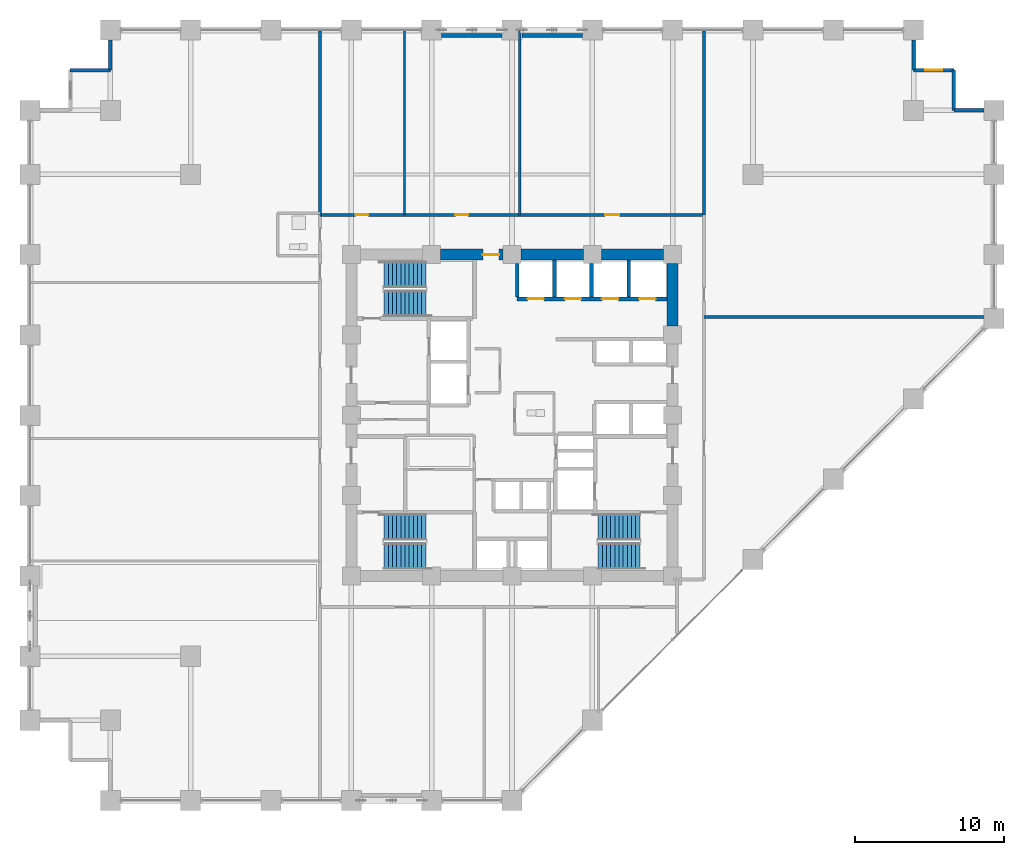
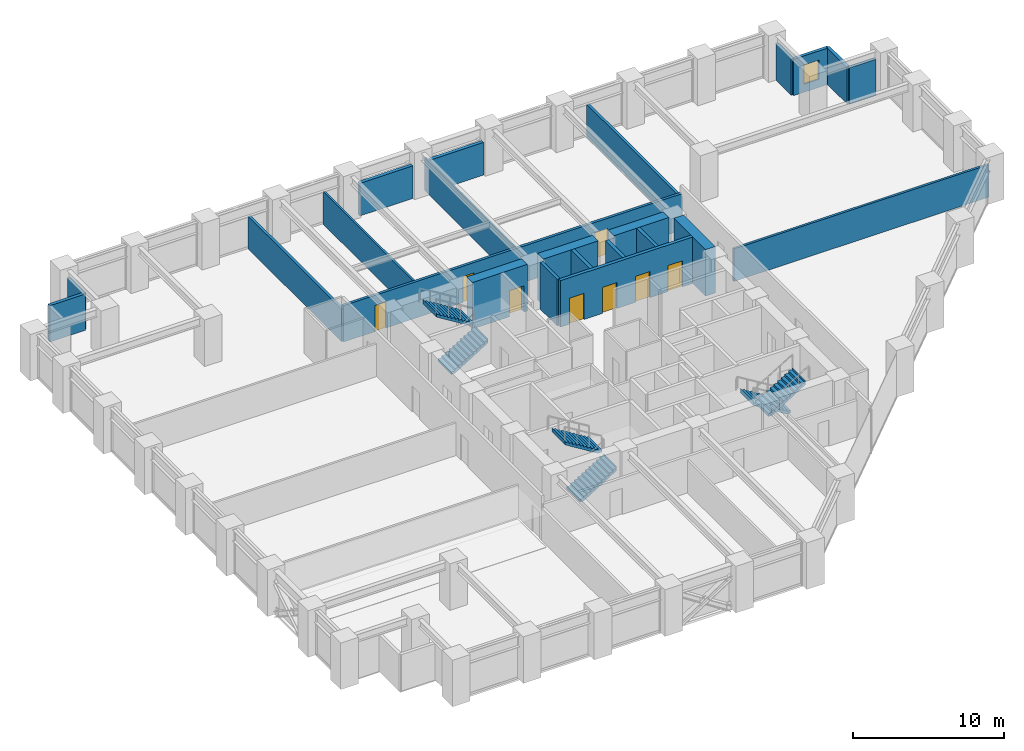
# One storey, part 22 of 25: 23 walls, 8 doors, 6 stair flights, 1 window, 9 openings, 3 elements without a shape of their own.
"""IFC4 building model written with IfcOpenShell, lengths in metres."""

from ifc_helpers import new_model, si_unit, direction, frame, frame_2d, origin, place, context, subcontext, project, spatial, polyline, rectangle, outline, extrude, material, layer, layer_set, type_object, element, fill, aggregate, save


model = new_model("IFC4")

# Units and contexts
model_context = context("Model", 3, precision=1e-05, world=origin(), true_north=direction((0.0, 1.0)))
body_context = subcontext(model_context, "Body", "Model", "MODEL_VIEW")
ifc_project = project(units=[si_unit("LENGTHUNIT", "METRE"), si_unit("AREAUNIT", "SQUARE_METRE"), si_unit("VOLUMEUNIT", "CUBIC_METRE"), si_unit("PLANEANGLEUNIT", "RADIAN"), si_unit("MASSUNIT", "GRAM", prefix="KILO")], contexts=[model_context])

# Site, building, storey
site_placement = place(None, origin())
site = spatial("IfcSite", under=ifc_project, at=site_placement, CompositionType="ELEMENT")
building_placement = place(site_placement, origin())
building = spatial("IfcBuilding", under=site, at=building_placement, Name="Surkhivell Harbour Commons", CompositionType="ELEMENT")
storey_placement = place(building_placement, frame((0.0, 0.0, 48.75)))
storey = spatial("IfcBuildingStorey", under=building, at=storey_placement, Name="L12", CompositionType="ELEMENT", Elevation=48.75)

# Wall, opening, door
ifc_material_1 = material(Name="Concrete C60/75", Category="concrete")
ifc_layer_1 = layer(ifc_material_1, 0.75)
ifc_layer_set_1 = layer_set([ifc_layer_1], Name="Concrete C60/75")
wall_type_1 = type_object("IfcWallType", Name="WAL-CORE-750", PredefinedType="SHEAR", material=ifc_layer_set_1)
wall_1_placement = place(storey_placement, frame((-4.7900390625, 10.800048828125, 0.0), z_axis=(0.0, 0.0, 1.0), x_axis=(1.0, 0.0, 0.0)))
wall_1 = element("IfcWall", 1, at=wall_1_placement, inside=storey, type_object=wall_type_1, Name="L12 Core Shear Wall North 2", PredefinedType="SHEAR", context=body_context, shape_type="SweptSolid", body=[
    extrude(rectangle(XDim=4.179931640625, YDim=0.75, at=frame_2d((2.08984375, 0.0))), origin(), (0.0, 0.0, 1.0), 3.75),
])
opening_1_placement = place(wall_1_placement, frame((2.830078125, 0.0, 0.0)))
opening_1 = element("IfcOpeningElement", 2, at=opening_1_placement, cuts=wall_1, Name="Opening ID-2", PredefinedType="OPENING", context=body_context, shape_type="SweptSolid", body=[
    extrude(rectangle(XDim=1.10009765625, YDim=2.10009765625, at=frame_2d((0.550048828125, 1.050048828125))), frame((0.0, 0.385009765625, 0.0), z_axis=(0.0, -1.0, 0.0), x_axis=(1.0, 0.0, 0.0)), (0.0, 0.0, 1.0), 0.77001953125),
])
ifc_material_2 = material(Name="Hardwood-veneered fire-rated door leaf", Category="wood")
door_type_1 = type_object("IfcDoorType", Name="DOR-FD60-1100", OperationType="NOTDEFINED", PredefinedType="DOOR", material=ifc_material_2)
door_1_placement = place(opening_1_placement, origin())
door_1 = element("IfcDoor", 3, at=door_1_placement, inside=storey, type_object=door_type_1, Name="L12 Central Core Lift Hall North Corridor Door", OperationType="SINGLE_SWING_LEFT", OverallHeight=2.10009765625, OverallWidth=1.10009765625, PredefinedType="DOOR", context=body_context, shape_type="SweptSolid", body=[
    extrude(rectangle(XDim=1.10009765625, YDim=2.10009765625, at=frame_2d((0.550048828125, 1.050048828125))), frame((0.0, 0.02490234375, 0.0), z_axis=(0.0, -1.0, 0.0), x_axis=(1.0, 0.0, 0.0)), (0.0, 0.0, 1.0), 0.050048828125),
])
fill(opening_1, door_1)

# Walls
for number, where, z_axis, x_axis, name in (
    (4, (0.610107421875, 10.800048828125, 0.0), (0.0, 0.0, 1.0), (1.0, 0.0, 0.0), "L12 Core Shear Wall North 3"),
    (5, (6.010009765625, 10.800048828125, 0.0), (0.0, 0.0, 1.0), (1.0, 0.0, 0.0), "L12 Core Shear Wall North 4"),
    (6, (10.800048828125, 6.010009765625, 0.0), (0.0, 0.0, 1.0), (0.0, 1.0, 0.0), "L12 Core Shear Wall East 4"),
):
    element("IfcWall", number, at=place(storey_placement, frame(where, z_axis=z_axis, x_axis=x_axis)), inside=storey, type_object=wall_type_1, Name=name, PredefinedType="SHEAR", context=body_context, shape_type="SweptSolid", body=[
        extrude(rectangle(XDim=4.179931640625, YDim=0.75, at=frame_2d((2.08984375, 0.0))), origin(), (0.0, 0.0, 1.0), 3.75),
    ])
ifc_material_3 = material(Name="Pale-metal insulated precast concrete C45/55", Category="concrete")
ifc_layer_2 = layer(ifc_material_3, 0.260009765625)
ifc_layer_set_2 = layer_set([ifc_layer_2], Name="Pale-metal insulated precast concrete C45/55")
wall_type_2 = type_object("IfcWallType", Name="WAL-EXT-MTL260", PredefinedType="STANDARD", material=ifc_layer_set_2)
for number, where, z_axis, x_axis, name in (
    (7, (-0.673095703125, 25.5400390625, 0.0), (0.0, 0.0, 1.0), (-1.0, 0.0, 0.0), "L12 Braced-Bay Insulated Spandrel Backing N"),
    (8, (4.72705078125, 25.5400390625, 0.0), (0.0, 0.0, 1.0), (-1.0, 0.0, 0.0), "L12 Braced-Bay Insulated Spandrel Backing N2"),
):
    element("IfcWall", number, at=place(storey_placement, frame(where, z_axis=z_axis, x_axis=x_axis)), inside=storey, type_object=wall_type_2, Name=name, PredefinedType="STANDARD", context=body_context, shape_type="SweptSolid", body=[
        extrude(rectangle(XDim=4.053955078125, YDim=0.260009765625, at=frame_2d((2.02685546875, 0.0))), origin(), (0.0, 0.0, 1.0), 2.62890625),
    ])
ifc_material_4 = material(Name="Bronze-ochre cassette precast concrete C45/55", Category="concrete")
ifc_layer_3 = layer(ifc_material_4, 0.239990234375)
ifc_layer_set_3 = layer_set([ifc_layer_3], Name="Bronze-ochre cassette precast concrete C45/55")
wall_type_3 = type_object("IfcWallType", Name="WAL-EXT-OCH240", PredefinedType="STANDARD", material=ifc_layer_set_3)
wall_2_placement = place(storey_placement, frame((31.72705078125, 20.5, 0.0), z_axis=(0.0, 0.0, 1.0), x_axis=(-1.0, 0.0, 0.0)))
element("IfcWall", 9, at=wall_2_placement, inside=storey, type_object=wall_type_3, Name="L12 Serrated Corner Facade Wall 03", PredefinedType="STANDARD", context=body_context, shape_type="SweptSolid", body=[
    extrude(rectangle(XDim=2.027099609375, YDim=0.239990234375, at=frame_2d((1.013671875, 0.0))), origin(), (0.0, 0.0, 1.0), 2.929931640625),
])
wall_3_placement = place(storey_placement, frame((29.699951171875, 20.5, 0.0), z_axis=(0.0, 0.0, 1.0), x_axis=(0.0, 1.0, 0.0)))
element("IfcWall", 10, at=wall_3_placement, inside=storey, type_object=wall_type_3, Name="L12 Serrated Corner Facade Wall 04", PredefinedType="STANDARD", context=body_context, shape_type="SweptSolid", body=[
    extrude(rectangle(XDim=2.699951171875, YDim=0.239990234375, at=frame_2d((1.35009765625, 0.0))), origin(), (0.0, 0.0, 1.0), 2.929931640625),
])

# Wall, opening, window
wall_4_placement = place(storey_placement, frame((29.699951171875, 23.199951171875, 0.0), z_axis=(0.0, 0.0, 1.0), x_axis=(-1.0, 0.0, 0.0)))
wall_4 = element("IfcWall", 11, at=wall_4_placement, inside=storey, type_object=wall_type_3, Name="L12 Serrated Corner Facade Wall 05", PredefinedType="STANDARD", context=body_context, shape_type="SweptSolid", body=[
    extrude(rectangle(XDim=2.699951171875, YDim=0.239990234375, at=frame_2d((1.35009765625, 0.0))), origin(), (0.0, 0.0, 1.0), 2.929931640625),
])
opening_2_placement = place(wall_4_placement, frame((0.77490234375, 0.0, 0.64990234375)))
opening_2 = element("IfcOpeningElement", 12, at=opening_2_placement, cuts=wall_4, Name="Opening WN-10", PredefinedType="OPENING", context=body_context, shape_type="SweptSolid", body=[
    extrude(rectangle(XDim=1.14990234375, YDim=1.550048828125, at=frame_2d((0.574951171875, 0.77490234375))), frame((0.0, 0.1298828125, 0.0), z_axis=(0.0, -1.0, 0.0), x_axis=(1.0, 0.0, 0.0)), (0.0, 0.0, 1.0), 0.260009765625),
])
ifc_material_5 = material(Name="Thermal-break aluminium frame and double low-E glazing", Category="aluminium")
window_type = type_object("IfcWindowType", Name="WIN-SER-1150x1550", PartitioningType="SINGLE_PANEL", PredefinedType="WINDOW", material=ifc_material_5)
window_placement = place(opening_2_placement, origin())
window = element("IfcWindow", 13, at=window_placement, inside=storey, type_object=window_type, Name="L12 Serrated Alcove Window 05", OverallHeight=1.550048828125, OverallWidth=1.14990234375, PartitioningType="SINGLE_PANEL", PredefinedType="WINDOW", context=body_context, shape_type="SweptSolid", body=[
    extrude(rectangle(XDim=1.14990234375, YDim=1.550048828125, at=frame_2d((0.574951171875, 0.77490234375))), frame((0.0, 0.030029296875, 0.0), z_axis=(0.0, -1.0, 0.0), x_axis=(1.0, 0.0, 0.0)), (0.0, 0.0, 1.0), 0.06005859375),
])
fill(opening_2, window)

# Walls
for number, where, z_axis, x_axis, name in (
    (14, (27.0, 23.199951171875, 0.0), (0.0, 0.0, 1.0), (0.0, 1.0, 0.0), "L12 Serrated Corner Facade Wall 06"),
    (15, (-27.0, 25.22705078125, 0.0), (0.0, 0.0, 1.0), (0.0, -1.0, 0.0), "L12 Serrated Corner Facade Wall 08"),
):
    element("IfcWall", number, at=place(storey_placement, frame(where, z_axis=z_axis, x_axis=x_axis)), inside=storey, type_object=wall_type_3, Name=name, PredefinedType="STANDARD", context=body_context, shape_type="SweptSolid", body=[
        extrude(rectangle(XDim=2.027099609375, YDim=0.239990234375, at=frame_2d((1.013671875, 0.0))), origin(), (0.0, 0.0, 1.0), 2.929931640625),
    ])
wall_5_placement = place(storey_placement, frame((-27.0, 23.199951171875, 0.0), z_axis=(0.0, 0.0, 1.0), x_axis=(-1.0, 0.0, 0.0)))
element("IfcWall", 16, at=wall_5_placement, inside=storey, type_object=wall_type_3, Name="L12 Serrated Corner Facade Wall 09", PredefinedType="STANDARD", context=body_context, shape_type="SweptSolid", body=[
    extrude(rectangle(XDim=2.699951171875, YDim=0.239990234375, at=frame_2d((1.35009765625, 0.0))), origin(), (0.0, 0.0, 1.0), 2.929931640625),
])
ifc_material_6 = material(Name="Twin-stud acoustic fireboard partition", Category="other")
ifc_layer_4 = layer(ifc_material_6, 0.14990234375)
ifc_layer_set_4 = layer_set([ifc_layer_4], Name="Twin-stud acoustic fireboard partition")
wall_type_4 = type_object("IfcWallType", Name="WAL-INT-150", PredefinedType="PARTITIONING", material=ifc_layer_set_4)
for number, where, z_axis, x_axis, name in (
    (17, (-7.219970703125, 13.47998046875, 0.0), (0.0, 0.0, 1.0), (0.0, 1.0, 0.0), "L12 North Partition P1"),
    (18, (0.52001953125, 13.47998046875, 0.0), (0.0, 0.0, 1.0), (0.0, 1.0, 0.0), "L12 North Partition P2"),
):
    element("IfcWall", number, at=place(storey_placement, frame(where, z_axis=z_axis, x_axis=x_axis)), inside=storey, type_object=wall_type_4, Name=name, PredefinedType="PARTITIONING", context=body_context, shape_type="SweptSolid", body=[
        extrude(rectangle(XDim=12.360107421875, YDim=0.14990234375, at=frame_2d((6.18017578125, 0.0))), origin(), (0.0, 0.0, 1.0), 2.62890625),
    ])
ifc_material_7 = material(Name="High-density acoustic blockwork fire partition", Category="masonry")
ifc_layer_5 = layer(ifc_material_7, 0.175048828125)
ifc_layer_set_5 = layer_set([ifc_layer_5], Name="High-density acoustic blockwork fire partition")
wall_type_5 = type_object("IfcWallType", Name="WAL-INT-175", PredefinedType="PARTITIONING", material=ifc_layer_set_5)
wall_6_placement = place(storey_placement, frame((12.89990234375, 6.610107421875, 0.0), z_axis=(0.0, 0.0, 1.0), x_axis=(1.0, 0.0, 0.0)))
element("IfcWall", 19, at=wall_6_placement, inside=storey, type_object=wall_type_5, Name="L12 East Partition P1", PredefinedType="PARTITIONING", context=body_context, shape_type="SweptSolid", body=[
    extrude(rectangle(XDim=19.440185546875, YDim=0.175048828125, at=frame_2d((9.72021484375, 0.0))), origin(), (0.0, 0.0, 1.0), 2.62890625),
])
ifc_material_8 = material(Name="Autoclaved aerated concrete blockwork and fire plaster", Category="masonry")
ifc_layer_6 = layer(ifc_material_8, 0.199951171875)
ifc_layer_set_6 = layer_set([ifc_layer_6], Name="Autoclaved aerated concrete blockwork and fire plaster")
wall_type_6 = type_object("IfcWallType", Name="WAL-INT-200", PredefinedType="PARTITIONING", material=ifc_layer_set_6)
for number, where, z_axis, x_axis, name in (
    (20, (12.89990234375, 13.47998046875, 0.0), (0.0, 0.0, 1.0), (0.0, 1.0, 0.0), "L12 North-East Wing Corner Divider"),
    (21, (-12.89990234375, 13.47998046875, 0.0), (0.0, 0.0, 1.0), (0.0, 1.0, 0.0), "L12 North-West Wing Corner Divider"),
):
    element("IfcWall", number, at=place(storey_placement, frame(where, z_axis=z_axis, x_axis=x_axis)), inside=storey, type_object=wall_type_6, Name=name, PredefinedType="PARTITIONING", context=body_context, shape_type="SweptSolid", body=[
        extrude(rectangle(XDim=12.360107421875, YDim=0.199951171875, at=frame_2d((6.18017578125, 0.0))), origin(), (0.0, 0.0, 1.0), 2.62890625),
    ])

# Wall, openings, doors
wall_7_placement = place(storey_placement, frame((-12.89990234375, 13.47998046875, 0.0), z_axis=(0.0, 0.0, 1.0), x_axis=(1.0, 0.0, 0.0)))
wall_7 = element("IfcWall", 22, at=wall_7_placement, inside=storey, type_object=wall_type_6, Name="L12 Corridor North Wall", PredefinedType="PARTITIONING", context=body_context, shape_type="SweptSolid", body=[
    extrude(rectangle(XDim=25.7998046875, YDim=0.199951171875, at=frame_2d((12.89990234375, 0.0))), origin(), (0.0, 0.0, 1.0), 2.929931640625),
])
opening_3_placement = place(wall_7_placement, frame((2.389892578125, 0.0, 0.0)))
opening_3 = element("IfcOpeningElement", 23, at=opening_3_placement, cuts=wall_7, Name="Opening ID-6", PredefinedType="OPENING", context=body_context, shape_type="SweptSolid", body=[
    extrude(rectangle(XDim=0.85009765625, YDim=2.10009765625, at=frame_2d((0.425048828125, 1.050048828125))), frame((0.0, 0.10986328125, 0.0), z_axis=(0.0, -1.0, 0.0), x_axis=(1.0, 0.0, 0.0)), (0.0, 0.0, 1.0), 0.219970703125),
])
opening_4_placement = place(wall_7_placement, frame((9.10009765625, 0.0, 0.0)))
opening_4 = element("IfcOpeningElement", 24, at=opening_4_placement, cuts=wall_7, Name="Opening ID-6", PredefinedType="OPENING", context=body_context, shape_type="SweptSolid", body=[
    extrude(rectangle(XDim=0.85009765625, YDim=2.10009765625, at=frame_2d((0.425048828125, 1.050048828125))), frame((0.0, 0.10986328125, 0.0), z_axis=(0.0, -1.0, 0.0), x_axis=(1.0, 0.0, 0.0)), (0.0, 0.0, 1.0), 0.219970703125),
])
opening_5_placement = place(wall_7_placement, frame((19.159912109375, 0.0, 0.0)))
opening_5 = element("IfcOpeningElement", 25, at=opening_5_placement, cuts=wall_7, Name="Opening ID-4", PredefinedType="OPENING", context=body_context, shape_type="SweptSolid", body=[
    extrude(rectangle(XDim=0.949951171875, YDim=2.10009765625, at=frame_2d((0.47509765625, 1.050048828125))), frame((0.0, 0.10986328125, 0.0), z_axis=(0.0, -1.0, 0.0), x_axis=(1.0, 0.0, 0.0)), (0.0, 0.0, 1.0), 0.219970703125),
])
door_type_2 = type_object("IfcDoorType", Name="DOR-FD30-850", OperationType="NOTDEFINED", PredefinedType="DOOR", material=ifc_material_2)
door_2_placement = place(opening_3_placement, origin())
door_2 = element("IfcDoor", 26, at=door_2_placement, inside=storey, type_object=door_type_2, Name="L12 Co-Working Study Office 1 North Door", OperationType="SINGLE_SWING_LEFT", OverallHeight=2.10009765625, OverallWidth=0.85009765625, PredefinedType="DOOR", context=body_context, shape_type="SweptSolid", body=[
    extrude(rectangle(XDim=0.85009765625, YDim=2.10009765625, at=frame_2d((0.425048828125, 1.050048828125))), frame((0.0, 0.02490234375, 0.0), z_axis=(0.0, -1.0, 0.0), x_axis=(1.0, 0.0, 0.0)), (0.0, 0.0, 1.0), 0.050048828125),
])
fill(opening_3, door_2)
door_3_placement = place(opening_4_placement, origin())
door_3 = element("IfcDoor", 27, at=door_3_placement, inside=storey, type_object=door_type_2, Name="L12 Co-Working Study Office 2 North Door", OperationType="SINGLE_SWING_RIGHT", OverallHeight=2.10009765625, OverallWidth=0.85009765625, PredefinedType="DOOR", context=body_context, shape_type="SweptSolid", body=[
    extrude(rectangle(XDim=0.85009765625, YDim=2.10009765625, at=frame_2d((0.425048828125, 1.050048828125))), frame((0.0, 0.02490234375, 0.0), z_axis=(0.0, -1.0, 0.0), x_axis=(1.0, 0.0, 0.0)), (0.0, 0.0, 1.0), 0.050048828125),
])
fill(opening_4, door_3)
door_type_3 = type_object("IfcDoorType", Name="DOR-FD60-950", OperationType="NOTDEFINED", PredefinedType="DOOR", material=ifc_material_2)
door_4_placement = place(opening_5_placement, origin())
door_4 = element("IfcDoor", 28, at=door_4_placement, inside=storey, type_object=door_type_3, Name="L12 Co-Working Study Office 3 North Door", OperationType="SINGLE_SWING_LEFT", OverallHeight=2.10009765625, OverallWidth=0.949951171875, PredefinedType="DOOR", context=body_context, shape_type="SweptSolid", body=[
    extrude(rectangle(XDim=0.949951171875, YDim=2.10009765625, at=frame_2d((0.47509765625, 1.050048828125))), frame((0.0, 0.02490234375, 0.0), z_axis=(0.0, -1.0, 0.0), x_axis=(1.0, 0.0, 0.0)), (0.0, 0.0, 1.0), 0.050048828125),
])
fill(opening_5, door_4)

# Walls
ifc_material_9 = material(Name="Concrete C50/60", Category="concrete")
ifc_layer_7 = layer(ifc_material_9, 0.25)
ifc_layer_set_7 = layer_set([ifc_layer_7], Name="Concrete C50/60")
wall_type_7 = type_object("IfcWallType", Name="WAL-SHAFT-250", PredefinedType="SHEAR", material=ifc_layer_set_7)
wall_8_placement = place(storey_placement, frame((2.85009765625, 7.93994140625, 0.0), z_axis=(0.0, 0.0, 1.0), x_axis=(0.0, 1.0, 0.0)))
element("IfcWall", 29, at=wall_8_placement, inside=storey, type_object=wall_type_7, Name="L12 Low-Rise Hoistway Wall", PredefinedType="SHEAR", context=body_context, shape_type="SweptSolid", body=[
    extrude(rectangle(XDim=2.485107421875, YDim=0.25, at=frame_2d((1.24267578125, 0.0))), origin(), (0.0, 0.0, 1.0), 3.75),
])
for number, where, z_axis, x_axis, name in (
    (30, (0.35009765625, 7.93994140625, 0.0), (0.0, 0.0, 1.0), (0.0, 1.0, 0.0), "L12 Low-Rise Hoistway Wall"),
    (31, (5.35009765625, 7.93994140625, 0.0), (0.0, 0.0, 1.0), (0.0, 1.0, 0.0), "L12 Low-Rise Hoistway Wall"),
):
    element("IfcWall", number, at=place(storey_placement, frame(where, z_axis=z_axis, x_axis=x_axis)), inside=storey, type_object=wall_type_7, Name=name, PredefinedType="SHEAR", context=body_context, shape_type="SweptSolid", body=[
        extrude(rectangle(XDim=2.260009765625, YDim=0.25, at=frame_2d((1.1298828125, 0.0))), origin(), (0.0, 0.0, 1.0), 3.75),
    ])
wall_9_placement = place(storey_placement, frame((7.85009765625, 7.93994140625, 0.0), z_axis=(0.0, 0.0, 1.0), x_axis=(0.0, 1.0, 0.0)))
element("IfcWall", 32, at=wall_9_placement, inside=storey, type_object=wall_type_7, Name="L12 Low-Rise Hoistway Wall", PredefinedType="SHEAR", context=body_context, shape_type="SweptSolid", body=[
    extrude(rectangle(XDim=2.485107421875, YDim=0.25, at=frame_2d((1.24267578125, 0.0))), origin(), (0.0, 0.0, 1.0), 3.75),
])

# Wall, openings, doors
wall_10_placement = place(storey_placement, frame((0.35009765625, 7.820068359375, 0.0), z_axis=(0.0, 0.0, 1.0), x_axis=(1.0, 0.0, 0.0)))
wall_10 = element("IfcWall", 33, at=wall_10_placement, inside=storey, type_object=wall_type_7, Name="L12 Low-Rise Lift Front Shaft Wall", PredefinedType="SHEAR", context=body_context, shape_type="SweptSolid", body=[
    extrude(rectangle(XDim=10.074951171875, YDim=0.25, at=frame_2d((5.03759765625, 0.0))), origin(), (0.0, 0.0, 1.0), 3.75),
])
opening_6_placement = place(wall_10_placement, frame((0.699951171875, 0.0, 0.0)))
opening_6 = element("IfcOpeningElement", 34, at=opening_6_placement, cuts=wall_10, Name="Opening LD-1", PredefinedType="OPENING", context=body_context, shape_type="SweptSolid", body=[
    extrude(rectangle(XDim=1.10009765625, YDim=2.10009765625, at=frame_2d((0.550048828125, 1.050048828125))), frame((0.0, 0.135009765625, 0.0), z_axis=(0.0, -1.0, 0.0), x_axis=(1.0, 0.0, 0.0)), (0.0, 0.0, 1.0), 0.27001953125),
])
opening_7_placement = place(wall_10_placement, frame((3.199951171875, 0.0, 0.0)))
opening_7 = element("IfcOpeningElement", 35, at=opening_7_placement, cuts=wall_10, Name="Opening LD-1", PredefinedType="OPENING", context=body_context, shape_type="SweptSolid", body=[
    extrude(rectangle(XDim=1.10009765625, YDim=2.10009765625, at=frame_2d((0.550048828125, 1.050048828125))), frame((0.0, 0.135009765625, 0.0), z_axis=(0.0, -1.0, 0.0), x_axis=(1.0, 0.0, 0.0)), (0.0, 0.0, 1.0), 0.27001953125),
])
opening_8_placement = place(wall_10_placement, frame((5.699951171875, 0.0, 0.0)))
opening_8 = element("IfcOpeningElement", 36, at=opening_8_placement, cuts=wall_10, Name="Opening LD-1", PredefinedType="OPENING", context=body_context, shape_type="SweptSolid", body=[
    extrude(rectangle(XDim=1.10009765625, YDim=2.10009765625, at=frame_2d((0.550048828125, 1.050048828125))), frame((0.0, 0.135009765625, 0.0), z_axis=(0.0, -1.0, 0.0), x_axis=(1.0, 0.0, 0.0)), (0.0, 0.0, 1.0), 0.27001953125),
])
opening_9_placement = place(wall_10_placement, frame((8.199951171875, 0.0, 0.0)))
opening_9 = element("IfcOpeningElement", 37, at=opening_9_placement, cuts=wall_10, Name="Opening LD-1", PredefinedType="OPENING", context=body_context, shape_type="SweptSolid", body=[
    extrude(rectangle(XDim=1.10009765625, YDim=2.10009765625, at=frame_2d((0.550048828125, 1.050048828125))), frame((0.0, 0.135009765625, 0.0), z_axis=(0.0, -1.0, 0.0), x_axis=(1.0, 0.0, 0.0)), (0.0, 0.0, 1.0), 0.27001953125),
])
ifc_material_10 = material(Name="Brushed stainless steel S355", Category="steel")
door_type_4 = type_object("IfcDoorType", Name="DOR-LD-1100", OperationType="SLIDING_TO_LEFT", PredefinedType="DOOR", material=ifc_material_10)
door_5_placement = place(opening_6_placement, origin())
door_5 = element("IfcDoor", 38, at=door_5_placement, inside=storey, type_object=door_type_4, Name="L12 Lift Landing Door LD-PL1", OperationType="SLIDING_TO_LEFT", OverallHeight=2.10009765625, OverallWidth=1.10009765625, PredefinedType="DOOR", context=body_context, shape_type="SweptSolid", body=[
    extrude(rectangle(XDim=1.10009765625, YDim=2.10009765625, at=frame_2d((0.550048828125, 1.050048828125))), frame((0.0, 0.02490234375, 0.0), z_axis=(0.0, -1.0, 0.0), x_axis=(1.0, 0.0, 0.0)), (0.0, 0.0, 1.0), 0.050048828125),
])
fill(opening_6, door_5)
door_6_placement = place(opening_7_placement, origin())
door_6 = element("IfcDoor", 39, at=door_6_placement, inside=storey, type_object=door_type_4, Name="L12 Lift Landing Door LD-PL2", OperationType="SLIDING_TO_LEFT", OverallHeight=2.10009765625, OverallWidth=1.10009765625, PredefinedType="DOOR", context=body_context, shape_type="SweptSolid", body=[
    extrude(rectangle(XDim=1.10009765625, YDim=2.10009765625, at=frame_2d((0.550048828125, 1.050048828125))), frame((0.0, 0.02490234375, 0.0), z_axis=(0.0, -1.0, 0.0), x_axis=(1.0, 0.0, 0.0)), (0.0, 0.0, 1.0), 0.050048828125),
])
fill(opening_7, door_6)
door_7_placement = place(opening_8_placement, origin())
door_7 = element("IfcDoor", 40, at=door_7_placement, inside=storey, type_object=door_type_4, Name="L12 Lift Landing Door LD-PL3", OperationType="SLIDING_TO_LEFT", OverallHeight=2.10009765625, OverallWidth=1.10009765625, PredefinedType="DOOR", context=body_context, shape_type="SweptSolid", body=[
    extrude(rectangle(XDim=1.10009765625, YDim=2.10009765625, at=frame_2d((0.550048828125, 1.050048828125))), frame((0.0, 0.02490234375, 0.0), z_axis=(0.0, -1.0, 0.0), x_axis=(1.0, 0.0, 0.0)), (0.0, 0.0, 1.0), 0.050048828125),
])
fill(opening_8, door_7)
door_8_placement = place(opening_9_placement, origin())
door_8 = element("IfcDoor", 41, at=door_8_placement, inside=storey, type_object=door_type_4, Name="L12 Lift Landing Door LD-PL4", OperationType="SLIDING_TO_LEFT", OverallHeight=2.10009765625, OverallWidth=1.10009765625, PredefinedType="DOOR", context=body_context, shape_type="SweptSolid", body=[
    extrude(rectangle(XDim=1.10009765625, YDim=2.10009765625, at=frame_2d((0.550048828125, 1.050048828125))), frame((0.0, 0.02490234375, 0.0), z_axis=(0.0, -1.0, 0.0), x_axis=(1.0, 0.0, 0.0)), (0.0, 0.0, 1.0), 0.050048828125),
])
fill(opening_9, door_8)

# Stair, stair flights
ifc_material_11 = material(Name="Precast concrete C45/55", Category="concrete")
stair_type = type_object("IfcStairType", Name="STR-DL-375", PredefinedType="HALF_TURN_STAIR", material=ifc_material_11)
stair_1_placement = place(storey_placement, origin())
stair_1 = element("IfcStair", 42, at=stair_1_placement, inside=storey, type_object=stair_type, Name="L12 Core Exit Stair ST1", PredefinedType="HALF_TURN_STAIR")
stair_flight_type = type_object("IfcStairFlightType", Name="STF-DL-375", PredefinedType="STRAIGHT", material=ifc_material_11)
stair_flight_1_placement = place(storey_placement, frame((-8.590087890625, 7.514892578125, 0.0), z_axis=(0.0, 0.0, 1.0), x_axis=(1.0, 0.0, 0.0)))
stair_flight_1 = element("IfcStairFlight", 43, at=stair_flight_1_placement, type_object=stair_flight_type, Name="ST1 flight 1", NumberOfRisers=11, NumberOfTreads=10, PredefinedType="STRAIGHT", RiserHeight=0.170454545, TreadLength=0.28, context=body_context, shape_type="SweptSolid", body=[
    extrude(outline(polyline([(-0.0029296875, -0.034912109375), (-0.0029296875, 0.0), (0.0, 0.0), (0.0, 0.17041015625), (0.280029296875, 0.17041015625), (0.280029296875, 0.3408203125), (0.56005859375, 0.3408203125), (0.56005859375, 0.511474609375), (0.840087890625, 0.511474609375), (0.840087890625, 0.681884765625), (1.1201171875, 0.681884765625), (1.1201171875, 0.852294921875), (1.39990234375, 0.852294921875), (1.39990234375, 1.022705078125), (1.679931640625, 1.022705078125), (1.679931640625, 1.193115234375), (1.9599609375, 1.193115234375), (1.9599609375, 1.363525390625), (2.239990234375, 1.363525390625), (2.239990234375, 1.5341796875), (2.52001953125, 1.5341796875), (2.52001953125, 1.70458984375), (2.800048828125, 1.70458984375), (2.800048828125, 1.875), (2.802978515625, 1.875), (2.802978515625, 1.529052734375), (0.288330078125, -0.034912109375), (-0.0029296875, -0.034912109375)])), frame((0.0, 0.875, 0.0), z_axis=(0.0, -1.0, 0.0), x_axis=(1.0, 0.0, 0.0)), (0.0, 0.0, 1.0), 1.75),
])
stair_flight_2_placement = place(storey_placement, frame((-5.7900390625, 9.465087890625, 1.875), z_axis=(0.0, 0.0, 1.0), x_axis=(-1.0, 0.0, 0.0)))
stair_flight_2 = element("IfcStairFlight", 44, at=stair_flight_2_placement, type_object=stair_flight_type, Name="ST1 flight 2", NumberOfRisers=11, NumberOfTreads=10, PredefinedType="STRAIGHT", RiserHeight=0.170454545, TreadLength=0.28, context=body_context, shape_type="SweptSolid", body=[
    extrude(outline(polyline([(-0.0029296875, -0.034912109375), (-0.0029296875, 0.0), (0.0, 0.0), (0.0, 0.17041015625), (0.280029296875, 0.17041015625), (0.280029296875, 0.3408203125), (0.56005859375, 0.3408203125), (0.56005859375, 0.511474609375), (0.840087890625, 0.511474609375), (0.840087890625, 0.681884765625), (1.1201171875, 0.681884765625), (1.1201171875, 0.852294921875), (1.39990234375, 0.852294921875), (1.39990234375, 1.022705078125), (1.679931640625, 1.022705078125), (1.679931640625, 1.193115234375), (1.9599609375, 1.193115234375), (1.9599609375, 1.363525390625), (2.239990234375, 1.363525390625), (2.239990234375, 1.5341796875), (2.52001953125, 1.5341796875), (2.52001953125, 1.70458984375), (2.800048828125, 1.70458984375), (2.800048828125, 1.875), (2.802978515625, 1.875), (2.802978515625, 1.529052734375), (0.288330078125, -0.034912109375), (-0.0029296875, -0.034912109375)])), frame((0.0, 0.875, 0.0), z_axis=(0.0, -1.0, 0.0), x_axis=(1.0, 0.0, 0.0)), (0.0, 0.0, 1.0), 1.75),
])
aggregate(stair_1, [stair_flight_1, stair_flight_2])

stair_2_placement = place(storey_placement, origin())
stair_2 = element("IfcStair", 45, at=stair_2_placement, inside=storey, type_object=stair_type, Name="L12 Core Exit Stair ST2", PredefinedType="HALF_TURN_STAIR")
stair_flight_3_placement = place(storey_placement, frame((8.590087890625, -7.514892578125, 0.0), z_axis=(0.0, 0.0, 1.0), x_axis=(-1.0, 0.0, 0.0)))
stair_flight_3 = element("IfcStairFlight", 46, at=stair_flight_3_placement, type_object=stair_flight_type, Name="ST2 flight 1", NumberOfRisers=11, NumberOfTreads=10, PredefinedType="STRAIGHT", RiserHeight=0.170454545, TreadLength=0.28, context=body_context, shape_type="SweptSolid", body=[
    extrude(outline(polyline([(-0.0029296875, -0.034912109375), (-0.0029296875, 0.0), (0.0, 0.0), (0.0, 0.17041015625), (0.280029296875, 0.17041015625), (0.280029296875, 0.3408203125), (0.56005859375, 0.3408203125), (0.56005859375, 0.511474609375), (0.840087890625, 0.511474609375), (0.840087890625, 0.681884765625), (1.1201171875, 0.681884765625), (1.1201171875, 0.852294921875), (1.39990234375, 0.852294921875), (1.39990234375, 1.022705078125), (1.679931640625, 1.022705078125), (1.679931640625, 1.193115234375), (1.9599609375, 1.193115234375), (1.9599609375, 1.363525390625), (2.239990234375, 1.363525390625), (2.239990234375, 1.5341796875), (2.52001953125, 1.5341796875), (2.52001953125, 1.70458984375), (2.800048828125, 1.70458984375), (2.800048828125, 1.875), (2.802978515625, 1.875), (2.802978515625, 1.529052734375), (0.288330078125, -0.034912109375), (-0.0029296875, -0.034912109375)])), frame((0.0, 0.875, 0.0), z_axis=(0.0, -1.0, 0.0), x_axis=(1.0, 0.0, 0.0)), (0.0, 0.0, 1.0), 1.75),
])
stair_flight_4_placement = place(storey_placement, frame((5.7900390625, -9.465087890625, 1.875), z_axis=(0.0, 0.0, 1.0), x_axis=(1.0, 0.0, 0.0)))
stair_flight_4 = element("IfcStairFlight", 47, at=stair_flight_4_placement, type_object=stair_flight_type, Name="ST2 flight 2", NumberOfRisers=11, NumberOfTreads=10, PredefinedType="STRAIGHT", RiserHeight=0.170454545, TreadLength=0.28, context=body_context, shape_type="SweptSolid", body=[
    extrude(outline(polyline([(-0.0029296875, -0.034912109375), (-0.0029296875, 0.0), (0.0, 0.0), (0.0, 0.17041015625), (0.280029296875, 0.17041015625), (0.280029296875, 0.3408203125), (0.56005859375, 0.3408203125), (0.56005859375, 0.511474609375), (0.840087890625, 0.511474609375), (0.840087890625, 0.681884765625), (1.1201171875, 0.681884765625), (1.1201171875, 0.852294921875), (1.39990234375, 0.852294921875), (1.39990234375, 1.022705078125), (1.679931640625, 1.022705078125), (1.679931640625, 1.193115234375), (1.9599609375, 1.193115234375), (1.9599609375, 1.363525390625), (2.239990234375, 1.363525390625), (2.239990234375, 1.5341796875), (2.52001953125, 1.5341796875), (2.52001953125, 1.70458984375), (2.800048828125, 1.70458984375), (2.800048828125, 1.875), (2.802978515625, 1.875), (2.802978515625, 1.529052734375), (0.288330078125, -0.034912109375), (-0.0029296875, -0.034912109375)])), frame((0.0, 0.875, 0.0), z_axis=(0.0, -1.0, 0.0), x_axis=(1.0, 0.0, 0.0)), (0.0, 0.0, 1.0), 1.75),
])
aggregate(stair_2, [stair_flight_3, stair_flight_4])

stair_3_placement = place(storey_placement, origin())
stair_3 = element("IfcStair", 48, at=stair_3_placement, inside=storey, type_object=stair_type, Name="L12 Core Exit Stair ST3", PredefinedType="HALF_TURN_STAIR")
stair_flight_5_placement = place(storey_placement, frame((-8.590087890625, -9.465087890625, 0.0), z_axis=(0.0, 0.0, 1.0), x_axis=(1.0, 0.0, 0.0)))
stair_flight_5 = element("IfcStairFlight", 49, at=stair_flight_5_placement, type_object=stair_flight_type, Name="ST3 flight 1", NumberOfRisers=11, NumberOfTreads=10, PredefinedType="STRAIGHT", RiserHeight=0.170454545, TreadLength=0.28, context=body_context, shape_type="SweptSolid", body=[
    extrude(outline(polyline([(-0.0029296875, -0.034912109375), (-0.0029296875, 0.0), (0.0, 0.0), (0.0, 0.17041015625), (0.280029296875, 0.17041015625), (0.280029296875, 0.3408203125), (0.56005859375, 0.3408203125), (0.56005859375, 0.511474609375), (0.840087890625, 0.511474609375), (0.840087890625, 0.681884765625), (1.1201171875, 0.681884765625), (1.1201171875, 0.852294921875), (1.39990234375, 0.852294921875), (1.39990234375, 1.022705078125), (1.679931640625, 1.022705078125), (1.679931640625, 1.193115234375), (1.9599609375, 1.193115234375), (1.9599609375, 1.363525390625), (2.239990234375, 1.363525390625), (2.239990234375, 1.5341796875), (2.52001953125, 1.5341796875), (2.52001953125, 1.70458984375), (2.800048828125, 1.70458984375), (2.800048828125, 1.875), (2.802978515625, 1.875), (2.802978515625, 1.529052734375), (0.288330078125, -0.034912109375), (-0.0029296875, -0.034912109375)])), frame((0.0, 0.875, 0.0), z_axis=(0.0, -1.0, 0.0), x_axis=(1.0, 0.0, 0.0)), (0.0, 0.0, 1.0), 1.75),
])
stair_flight_6_placement = place(storey_placement, frame((-5.7900390625, -7.514892578125, 1.875), z_axis=(0.0, 0.0, 1.0), x_axis=(-1.0, 0.0, 0.0)))
stair_flight_6 = element("IfcStairFlight", 50, at=stair_flight_6_placement, type_object=stair_flight_type, Name="ST3 flight 2", NumberOfRisers=11, NumberOfTreads=10, PredefinedType="STRAIGHT", RiserHeight=0.170454545, TreadLength=0.28, context=body_context, shape_type="SweptSolid", body=[
    extrude(outline(polyline([(-0.0029296875, -0.034912109375), (-0.0029296875, 0.0), (0.0, 0.0), (0.0, 0.17041015625), (0.280029296875, 0.17041015625), (0.280029296875, 0.3408203125), (0.56005859375, 0.3408203125), (0.56005859375, 0.511474609375), (0.840087890625, 0.511474609375), (0.840087890625, 0.681884765625), (1.1201171875, 0.681884765625), (1.1201171875, 0.852294921875), (1.39990234375, 0.852294921875), (1.39990234375, 1.022705078125), (1.679931640625, 1.022705078125), (1.679931640625, 1.193115234375), (1.9599609375, 1.193115234375), (1.9599609375, 1.363525390625), (2.239990234375, 1.363525390625), (2.239990234375, 1.5341796875), (2.52001953125, 1.5341796875), (2.52001953125, 1.70458984375), (2.800048828125, 1.70458984375), (2.800048828125, 1.875), (2.802978515625, 1.875), (2.802978515625, 1.529052734375), (0.288330078125, -0.034912109375), (-0.0029296875, -0.034912109375)])), frame((0.0, 0.875, 0.0), z_axis=(0.0, -1.0, 0.0), x_axis=(1.0, 0.0, 0.0)), (0.0, 0.0, 1.0), 1.75),
])
aggregate(stair_3, [stair_flight_5, stair_flight_6])

save(model, "model.ifc")
